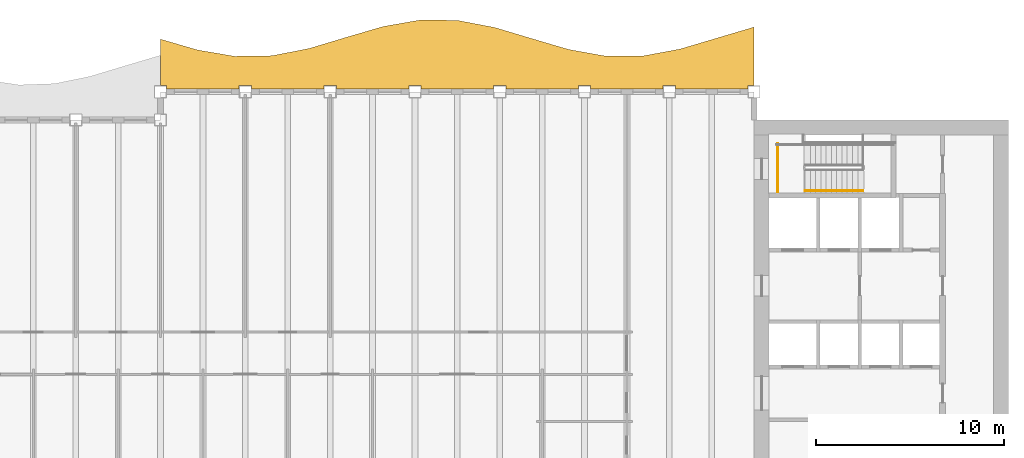
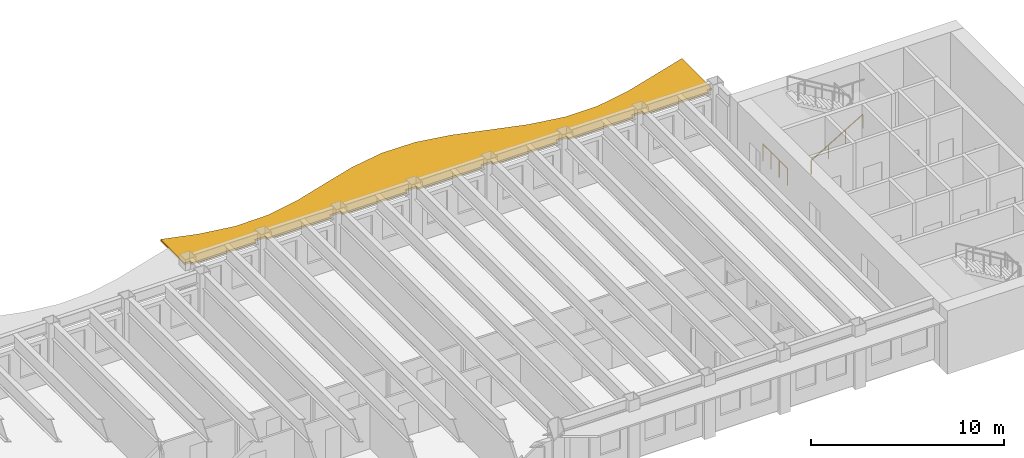
# One storey, part 11 of 12: 2 railings, 1 shading device.
"""IFC4 building model written with IfcOpenShell, lengths in metres."""

from ifc_helpers import new_model, si_unit, direction, frame, origin, origin_2d, place, context, subcontext, project, spatial, polyline, rectangle, outline, extrude, material, layer, layer_set, type_object, element, save


model = new_model("IFC4")

# Units and contexts
model_context = context("Model", 3, precision=1e-05, world=origin(), true_north=direction((0.0, 1.0)))
body_context = subcontext(model_context, "Body", "Model", "MODEL_VIEW")
ifc_project = project(units=[si_unit("LENGTHUNIT", "METRE"), si_unit("AREAUNIT", "SQUARE_METRE"), si_unit("VOLUMEUNIT", "CUBIC_METRE"), si_unit("PLANEANGLEUNIT", "RADIAN"), si_unit("MASSUNIT", "GRAM", prefix="KILO")], contexts=[model_context])

# Site, building, storey
site_placement = place(None, origin())
site = spatial("IfcSite", under=ifc_project, at=site_placement, CompositionType="ELEMENT")
building_placement = place(site_placement, origin())
building = spatial("IfcBuilding", under=site, at=building_placement, Name="Sennacour Bend Tower", CompositionType="ELEMENT")
storey_placement = place(building_placement, frame((0.0, 0.0, 289.0)))
storey = spatial("IfcBuildingStorey", under=building, at=storey_placement, Name="L67", CompositionType="ELEMENT", Elevation=289.0)

# Railings
ifc_material_1 = material(Name="Stainless steel", Category="steel")
railing_type_1 = type_object("IfcRailingType", Name="RL-GUARD-1100", PredefinedType="GUARDRAIL", material=ifc_material_1)
railing_1_placement = place(storey_placement, frame((55.25, 18.699951171875, 0.0)))
element("IfcRailing", 1, at=railing_1_placement, inside=storey, type_object=railing_type_1, Name="L67 SA2 stair guard 7", PredefinedType="GUARDRAIL", context=body_context, shape_type="SweptSolid", body=[
    extrude(rectangle(XDim=0.048095703125, YDim=0.048095703125, at=origin_2d()), frame((0.0, 0.0, 1.076171875), z_axis=(0.0, 1.0, 0.0), x_axis=(-1.0, 0.0, 0.0)), (0.0, 0.0, 1.0), 2.550048828125),
    extrude(rectangle(XDim=0.0419921875, YDim=0.0419921875, at=origin_2d()), origin(), (0.0, 0.0, 1.0), 1.052001953125),
    extrude(rectangle(XDim=0.0419921875, YDim=0.0419921875, at=origin_2d()), frame((0.0, 0.85009765625, 0.0)), (0.0, 0.0, 1.0), 1.052001953125),
    extrude(rectangle(XDim=0.0419921875, YDim=0.0419921875, at=origin_2d()), frame((0.0, 1.699951171875, 0.0)), (0.0, 0.0, 1.0), 1.052001953125),
    extrude(rectangle(XDim=0.0419921875, YDim=0.0419921875, at=origin_2d()), frame((0.0, 2.550048828125, 0.0)), (0.0, 0.0, 1.0), 1.052001953125),
])
railing_type_2 = type_object("IfcRailingType", Name="RL-HANDRAIL-900", PredefinedType="HANDRAIL", material=ifc_material_1)
railing_2_placement = place(storey_placement, frame((56.699951171875, 18.75, 0.166748046875)))
element("IfcRailing", 2, at=railing_2_placement, inside=storey, type_object=railing_type_2, Name="L67 SA2 stair handrail 1", PredefinedType="HANDRAIL", context=body_context, shape_type="SweptSolid", body=[
    extrude(rectangle(XDim=0.048095703125, YDim=0.048095703125, at=origin_2d()), frame((0.0, 0.0, 0.8759765625), z_axis=(0.859308565015, 0.0, 0.511457515432), x_axis=(0.0, 1.0, 0.0)), (0.0, 0.0, 1.0), 3.58447265625),
    extrude(rectangle(XDim=0.0419921875, YDim=0.0419921875, at=origin_2d()), origin(), (0.0, 0.0, 1.0), 0.851806640625),
    extrude(rectangle(XDim=0.0419921875, YDim=0.0419921875, at=origin_2d()), frame((1.026611328125, 0.0, 0.611083984375)), (0.0, 0.0, 1.0), 0.851806640625),
    extrude(rectangle(XDim=0.0419921875, YDim=0.0419921875, at=origin_2d()), frame((2.053466796875, 0.0, 1.22216796875)), (0.0, 0.0, 1.0), 0.851806640625),
    extrude(rectangle(XDim=0.0419921875, YDim=0.0419921875, at=origin_2d()), frame((3.080078125, 0.0, 1.833251953125)), (0.0, 0.0, 1.0), 0.851806640625),
])

# Shading device
ifc_material_2 = material(Name="Bronze anodised aluminium", Category="aluminium")
ifc_layer = layer(ifc_material_2, 0.1201171875, Name="Bronze anodised aluminium", Category="aluminium")
ifc_layer_set = layer_set([ifc_layer], Name="Bronze anodised aluminium")
shading_device_type = type_object("IfcShadingDeviceType", Name="SUNSHADE BAND WAVE", PredefinedType="USERDEFINED", material=ifc_layer_set)
shading_device_placement = place(storey_placement, frame((0.0, 0.0, 3.0419921875)))
element("IfcShadingDevice", 3, at=shading_device_placement, inside=storey, type_object=shading_device_type, Name="Sunshade band L67 concave faces", ObjectType="SUNSHADE", PredefinedType="USERDEFINED", context=body_context, shape_type="SweptSolid", body=[
    extrude(outline(polyline([(53.675048828125, 24.14990234375), (49.824951171875, 24.14990234375), (49.824951171875, 24.324951171875), (49.175048828125, 24.324951171875), (49.175048828125, 24.14990234375), (45.324951171875, 24.14990234375), (45.324951171875, 24.324951171875), (44.675048828125, 24.324951171875), (44.675048828125, 24.14990234375), (40.824951171875, 24.14990234375), (40.824951171875, 24.324951171875), (40.175048828125, 24.324951171875), (40.175048828125, 24.14990234375), (36.324951171875, 24.14990234375), (36.324951171875, 24.324951171875), (35.675048828125, 24.324951171875), (35.675048828125, 24.14990234375), (31.824951171875, 24.14990234375), (31.824951171875, 24.324951171875), (31.175048828125, 24.324951171875), (31.175048828125, 24.14990234375), (27.324951171875, 24.14990234375), (27.324951171875, 24.324951171875), (26.675048828125, 24.324951171875), (26.675048828125, 24.14990234375), (22.824951171875, 24.14990234375), (22.824951171875, 24.324951171875), (22.5, 24.324951171875), (22.5, 26.79296875), (24.46875, 26.2197265625), (26.4375, 25.884765625), (28.40625, 25.914306640625), (30.375, 26.29736328125), (32.34375, 26.889404296875), (34.3125, 27.46630859375), (36.28125, 27.810546875), (38.25, 27.791748046875), (40.21875, 27.41748046875), (42.1875, 26.82861328125), (44.15625, 26.247802734375), (46.125, 25.89453125), (48.09375, 25.90234375), (50.0625, 26.26806640625), (52.03125, 26.853515625), (54.0, 27.437744140625), (54.0, 24.324951171875), (53.675048828125, 24.324951171875), (53.675048828125, 24.14990234375)])), origin(), (0.0, 0.0, 1.0), 0.1201171875),
])

save(model, "model.ifc")
